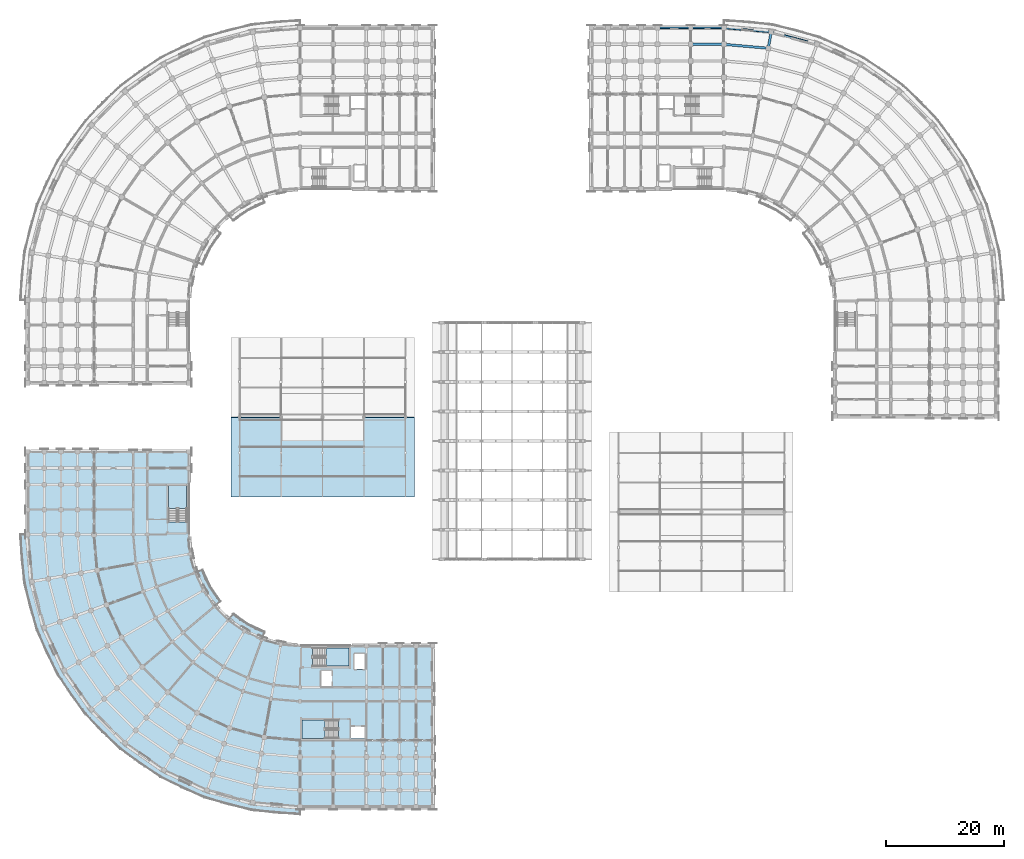
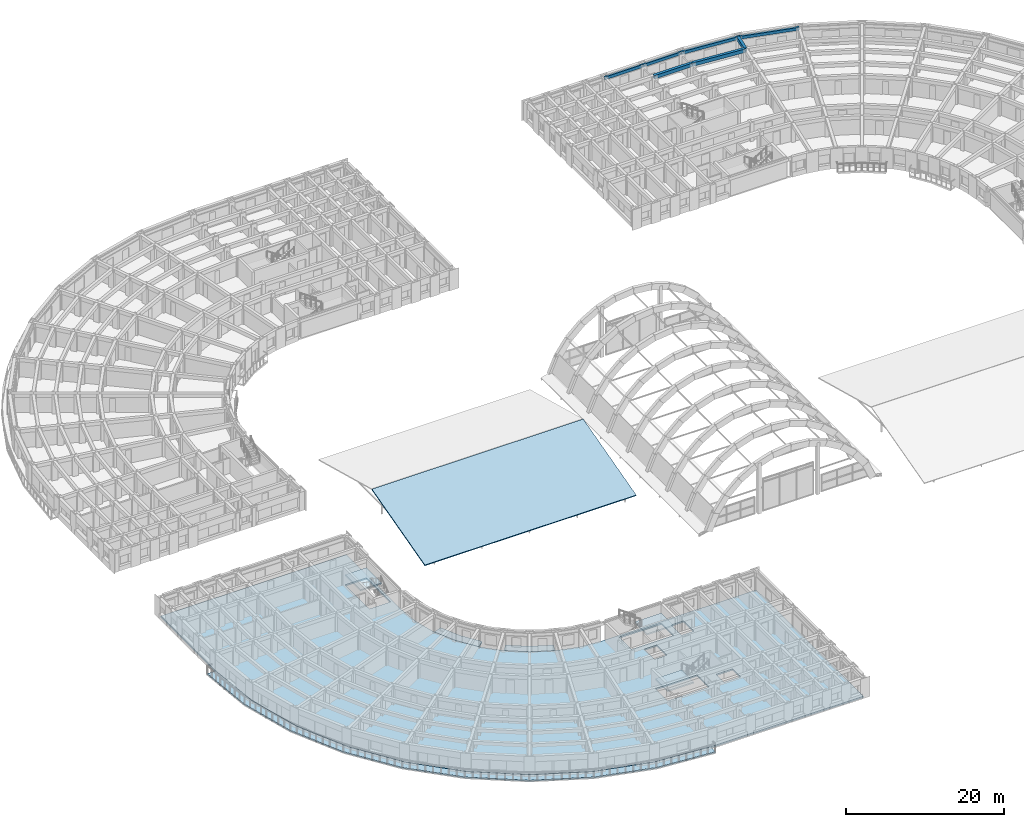
# One storey, part 26 of 76: 8 slabs, 7 beams, 4 elements without a shape of their own.
"""IFC4 building model written with IfcOpenShell, lengths in metres."""

from ifc_helpers import new_model, si_unit, direction, frame, origin, origin_2d, place, context, subcontext, project, spatial, polyline, rectangle, outline, extrude, material, layer, layer_set, material_profile, profile_set, type_object, element, aggregate, save


model = new_model("IFC4")

# Units and contexts
model_context = context("Model", 3, precision=1e-05, world=origin(), true_north=direction((0.0, 1.0)))
body_context = subcontext(model_context, "Body", "Model", "MODEL_VIEW")
ifc_project = project(units=[si_unit("LENGTHUNIT", "METRE"), si_unit("AREAUNIT", "SQUARE_METRE"), si_unit("VOLUMEUNIT", "CUBIC_METRE"), si_unit("PLANEANGLEUNIT", "RADIAN"), si_unit("MASSUNIT", "GRAM", prefix="KILO")], contexts=[model_context])

# Site, building, storey
site_placement = place(None, origin())
site = spatial("IfcSite", under=ifc_project, at=site_placement, CompositionType="ELEMENT")
building_placement = place(site_placement, origin())
building = spatial("IfcBuilding", under=site, at=building_placement, Name="Kiranvali Square Residences", CompositionType="ELEMENT")
storey_placement = place(building_placement, frame((0.0, 0.0, 8.699951171875)))
storey = spatial("IfcBuildingStorey", under=building, at=storey_placement, Name="L02", CompositionType="ELEMENT", Elevation=8.699951171875)

# Beams
ifc_material_1 = material(Name="Concrete M45 (45 MPa)", Category="concrete")
ifc_material_profile_1 = material_profile(ifc_material_1, rectangle(XDim=0.39990234375, YDim=0.550048828125, at=origin_2d()), Name="RC 400x550")
ifc_profile_set_1 = profile_set([ifc_material_profile_1], Name="Concrete M45 (45 MPa)")
beam_type_1 = type_object("IfcBeamType", Name="BM-M45-400x550", PredefinedType="BEAM", material=ifc_profile_set_1)
beam_1_placement = place(storey_placement, frame((119.800048828125, 131.0, 2.655029296875), z_axis=(0.996195195417, -0.087150058103, 0.0), x_axis=(0.087150058103, 0.996195195417, 0.0)))
element("IfcBeam", 1, at=beam_1_placement, inside=storey, type_object=beam_type_1, Name="L02 beam BM-B-L02-C00-R6", PredefinedType="BEAM", context=body_context, shape_type="SweptSolid", body=[
    extrude(rectangle(XDim=0.39990234375, YDim=0.550048828125, at=origin_2d()), origin(), (0.0, 0.0, 1.0), 7.530029296875),
])
beam_2_placement = place(storey_placement, frame((127.301513671875, 130.34375, 2.655029296875), z_axis=(0.173695795656, 0.984799355489, 0.0), x_axis=(-0.984799355489, 0.173695795656, 0.0)))
element("IfcBeam", 2, at=beam_2_placement, inside=storey, type_object=beam_type_1, Name="L02 beam BM-B-L02-RAD01-67", PredefinedType="BEAM", context=body_context, shape_type="SweptSolid", body=[
    extrude(rectangle(XDim=0.39990234375, YDim=0.550048828125, at=origin_2d()), origin(), (0.0, 0.0, 1.0), 2.7998046875),
])
beam_3_placement = place(storey_placement, frame((119.800048828125, 131.0, 2.655029296875), z_axis=(-1.0, 0.0, 0.0), x_axis=(0.0, -1.0, 0.0)))
element("IfcBeam", 3, at=beam_3_placement, inside=storey, type_object=beam_type_1, Name="L02 beam BM-B-L02-A1U0-R6", PredefinedType="BEAM", context=body_context, shape_type="SweptSolid", body=[
    extrude(rectangle(XDim=0.39990234375, YDim=0.550048828125, at=origin_2d()), origin(), (0.0, 0.0, 1.0), 5.60009765625),
])
ifc_material_2 = material(Name="Concrete M40 (40 MPa)", Category="concrete")
ifc_material_profile_2 = material_profile(ifc_material_2, rectangle(XDim=0.25, YDim=0.449951171875, at=origin_2d()), Name="RC 250x450")
ifc_profile_set_2 = profile_set([ifc_material_profile_2], Name="Concrete M40 (40 MPa)")
beam_type_2 = type_object("IfcBeamType", Name="SPN-M40-250x450", PredefinedType="SPANDREL", material=ifc_profile_set_2)
beam_4_placement = place(storey_placement, frame((119.800048828125, 133.800048828125, 2.705078125), z_axis=(-1.0, 0.0, 0.0), x_axis=(0.0, -1.0, 0.0)))
element("IfcBeam", 4, at=beam_4_placement, inside=storey, type_object=beam_type_2, Name="L02 beam BM-B-L02-A1U0-R7", PredefinedType="SPANDREL", context=body_context, shape_type="SweptSolid", body=[
    extrude(rectangle(XDim=0.25, YDim=0.449951171875, at=origin_2d()), origin(), (0.0, 0.0, 1.0), 5.60009765625),
])
beam_5_placement = place(storey_placement, frame((114.199951171875, 133.800048828125, 2.705078125), z_axis=(-1.0, 0.0, 0.0), x_axis=(0.0, -1.0, 0.0)))
element("IfcBeam", 5, at=beam_5_placement, inside=storey, type_object=beam_type_2, Name="L02 beam BM-B-L02-A1U1-R7", PredefinedType="SPANDREL", context=body_context, shape_type="SweptSolid", body=[
    extrude(rectangle(XDim=0.25, YDim=0.449951171875, at=origin_2d()), origin(), (0.0, 0.0, 1.0), 5.599853515625),
])
ifc_material_profile_3 = material_profile(ifc_material_2, rectangle(XDim=0.300048828125, YDim=0.449951171875, at=origin_2d()), Name="RC 300x450")
ifc_profile_set_3 = profile_set([ifc_material_profile_3], Name="Concrete M40 (40 MPa)")
beam_type_3 = type_object("IfcBeamType", Name="SPN-M40-300x450", PredefinedType="SPANDREL", material=ifc_profile_set_3)
for number, where, z_axis, x_axis, name in (
    (6, (119.800048828125, 133.800048828125, 2.705078125), (0.996193254792, -0.087172238171, 0.0), (0.087172238171, 0.996193254792, 0.0), "L02 beam BM-B-L02-C00-R7"),
    (7, (127.787841796875, 133.10107421875, 2.705078125), (0.96592902462, -0.258807108475, 0.0), (0.258807108475, 0.96592902462, 0.0), "L02 beam BM-B-L02-C01-R7"),
):
    element("IfcBeam", number, at=place(storey_placement, frame(where, z_axis=z_axis, x_axis=x_axis)), inside=storey, type_object=beam_type_3, Name=name, PredefinedType="SPANDREL", context=body_context, shape_type="SweptSolid", body=[
        extrude(rectangle(XDim=0.300048828125, YDim=0.449951171875, at=origin_2d()), origin(), (0.0, 0.0, 1.0), 8.018310546875),
    ])

# Slabs
ifc_material_3 = material(Name="Concrete M35 (35 MPa)", Category="concrete")
ifc_layer_1 = layer(ifc_material_3, 0.179931640625)
ifc_layer_set_1 = layer_set([ifc_layer_1], Name="Concrete M35 (35 MPa)")
slab_type_1 = type_object("IfcSlabType", Name="SLB-BAL-180", PredefinedType="FLOOR", material=ifc_layer_set_1)
slab_1_placement = place(storey_placement, frame((0.0, 0.0, -0.179931640625)))
element("IfcSlab", 8, at=slab_1_placement, inside=storey, type_object=slab_type_1, Name="Block C L02 continuous curved corner balcony slab", PredefinedType="FLOOR", context=body_context, shape_type="SweptSolid", body=[
    extrude(outline(polyline([(48.199951171875, 2.199951171875), (40.212158203125, 2.89892578125), (32.467041015625, 4.97412109375), (25.199951171875, 8.36279296875), (18.6318359375, 12.9619140625), (12.9619140625, 18.6318359375), (8.36279296875, 25.199951171875), (4.97412109375, 32.467041015625), (2.89892578125, 40.212158203125), (2.199951171875, 48.199951171875), (0.949951171875, 48.199951171875), (1.667724609375, 39.9951171875), (3.799560546875, 32.03955078125), (7.2802734375, 24.574951171875), (12.00439453125, 17.828369140625), (17.828369140625, 12.00439453125), (24.574951171875, 7.2802734375), (32.03955078125, 3.799560546875), (39.9951171875, 1.667724609375), (48.199951171875, 0.949951171875), (48.199951171875, 2.199951171875)])), origin(), (0.0, 0.0, 1.0), 0.179931640625),
])
ifc_layer_2 = layer(ifc_material_3, 0.22998046875)
ifc_layer_set_2 = layer_set([ifc_layer_2], Name="Concrete M35 (35 MPa)")
slab_type_2 = type_object("IfcSlabType", Name="SLB-FLR-230", PredefinedType="FLOOR", material=ifc_layer_set_2)
slab_2_placement = place(storey_placement, frame((0.0, 0.0, -0.22998046875)))
element("IfcSlab", 9, at=slab_2_placement, inside=storey, type_object=slab_type_2, Name="Block C L02 structural floor slab", PredefinedType="FLOOR", context=body_context, shape_type="SweptSolid", body=[
    extrude(outline(polyline([(48.199951171875, 29.39990234375), (44.935302734375, 29.685546875), (41.77001953125, 30.53369140625), (38.800048828125, 31.918701171875), (36.115478515625, 33.79833984375), (33.79833984375, 36.115478515625), (31.918701171875, 38.800048828125), (30.53369140625, 41.77001953125), (29.685546875, 44.935302734375), (29.39990234375, 48.199951171875), (29.39990234375, 62.199951171875), (2.199951171875, 62.199951171875), (2.199951171875, 48.199951171875), (2.89892578125, 40.212158203125), (4.97412109375, 32.467041015625), (8.36279296875, 25.199951171875), (12.9619140625, 18.6318359375), (18.6318359375, 12.9619140625), (25.199951171875, 8.36279296875), (32.467041015625, 4.97412109375), (40.212158203125, 2.89892578125), (48.199951171875, 2.199951171875), (70.60009765625, 2.199951171875), (70.60009765625, 29.39990234375), (48.199951171875, 29.39990234375)]), holes=[polyline([(56.800048828125, 13.75), (59.25, 13.75), (59.25, 15.75), (56.800048828125, 15.75), (56.800048828125, 13.75)]), polyline([(57.35009765625, 25.449951171875), (59.14990234375, 25.449951171875), (59.14990234375, 28.050048828125), (57.35009765625, 28.050048828125), (57.35009765625, 25.449951171875)]), polyline([(51.75, 22.550048828125), (53.550048828125, 22.550048828125), (53.550048828125, 25.14990234375), (51.75, 25.14990234375), (51.75, 22.550048828125)]), polyline([(54.699951171875, 16.85009765625), (48.550048828125, 16.85009765625), (48.550048828125, 13.75), (54.699951171875, 13.75), (54.699951171875, 16.85009765625)]), polyline([(50.300048828125, 25.949951171875), (56.449951171875, 25.949951171875), (56.449951171875, 29.050048828125), (50.300048828125, 29.050048828125), (50.300048828125, 25.949951171875)]), polyline([(29.050048828125, 50.300048828125), (29.050048828125, 56.449951171875), (25.949951171875, 56.449951171875), (25.949951171875, 50.300048828125), (29.050048828125, 50.300048828125)])]), origin(), (0.0, 0.0, 1.0), 0.22998046875),
])
ifc_layer_3 = layer(ifc_material_3, 0.169921875)
ifc_layer_set_3 = layer_set([ifc_layer_3], Name="Concrete M35 (35 MPa)")
slab_type_3 = type_object("IfcSlabType", Name="SLB-GBAL-170", PredefinedType="FLOOR", material=ifc_layer_set_3)
slab_3_placement = place(storey_placement, frame((0.0, 0.0, -0.179931640625)))
element("IfcSlab", 10, at=slab_3_placement, inside=storey, type_object=slab_type_3, Name="Block C L02 garden balcony slab 1", PredefinedType="FLOOR", context=body_context, shape_type="SweptSolid", body=[
    extrude(outline(polyline([(42.197509765625, 31.70849609375), (39.425048828125, 33.001220703125), (36.919189453125, 34.755859375), (36.115478515625, 33.79833984375), (38.800048828125, 31.918701171875), (41.77001953125, 30.53369140625), (42.197509765625, 31.70849609375)])), origin(), (0.0, 0.0, 1.0), 0.179931640625),
])
slab_4_placement = place(storey_placement, frame((0.0, 0.0, -0.179931640625)))
element("IfcSlab", 11, at=slab_4_placement, inside=storey, type_object=slab_type_3, Name="Block C L02 garden balcony slab 2", PredefinedType="FLOOR", context=body_context, shape_type="SweptSolid", body=[
    extrude(outline(polyline([(34.755859375, 36.919189453125), (33.001220703125, 39.425048828125), (31.70849609375, 42.197509765625), (30.53369140625, 41.77001953125), (31.918701171875, 38.800048828125), (33.79833984375, 36.115478515625), (34.755859375, 36.919189453125)])), origin(), (0.0, 0.0, 1.0), 0.179931640625),
])

# Stair, slab
stair_type = type_object("IfcStairType", Name="ST-CORE-1700", PredefinedType="HALF_TURN_STAIR", material=ifc_material_3)
stair_1_placement = place(storey_placement, origin())
stair_1 = element("IfcStair", 12, at=stair_1_placement, inside=storey, type_object=stair_type, Name="L02 Block C Firefighting Exit Stair 1", PredefinedType="HALF_TURN_STAIR")
ifc_layer_4 = layer(ifc_material_3, 0.199951171875)
ifc_layer_set_4 = layer_set([ifc_layer_4], Name="Concrete M35 (35 MPa)")
slab_type_4 = type_object("IfcSlabType", Name="SLB-LND-200", PredefinedType="LANDING", material=ifc_layer_set_4)
slab_5_placement = place(storey_placement, frame((0.0, 0.0, 1.375)))
slab_5 = element("IfcSlab", 13, at=slab_5_placement, type_object=slab_type_4, Name="ST-C1 landing 1", PredefinedType="LANDING", context=body_context, shape_type="SweptSolid", body=[
    extrude(outline(polyline([(52.419921875, 16.85009765625), (48.550048828125, 16.85009765625), (48.550048828125, 13.75), (52.419921875, 13.75), (52.419921875, 16.85009765625)])), origin(), (0.0, 0.0, 1.0), 0.199951171875),
])
aggregate(stair_1, [slab_5])

stair_2_placement = place(storey_placement, origin())
stair_2 = element("IfcStair", 14, at=stair_2_placement, inside=storey, type_object=stair_type, Name="L02 Block C Protected Exit Stair 2", PredefinedType="HALF_TURN_STAIR")
slab_6_placement = place(storey_placement, frame((0.0, 0.0, 1.375)))
slab_6 = element("IfcSlab", 15, at=slab_6_placement, type_object=slab_type_4, Name="ST-C2 landing 1", PredefinedType="LANDING", context=body_context, shape_type="SweptSolid", body=[
    extrude(outline(polyline([(52.580078125, 25.949951171875), (56.449951171875, 25.949951171875), (56.449951171875, 29.050048828125), (52.580078125, 29.050048828125), (52.580078125, 25.949951171875)])), origin(), (0.0, 0.0, 1.0), 0.199951171875),
])
aggregate(stair_2, [slab_6])

stair_3_placement = place(storey_placement, origin())
stair_3 = element("IfcStair", 16, at=stair_3_placement, inside=storey, type_object=stair_type, Name="L02 Block C Wing Protected Exit Stair 3", PredefinedType="HALF_TURN_STAIR")
slab_7_placement = place(storey_placement, frame((0.0, 0.0, 1.375)))
slab_7 = element("IfcSlab", 17, at=slab_7_placement, type_object=slab_type_4, Name="ST-C3 landing 1", PredefinedType="LANDING", context=body_context, shape_type="SweptSolid", body=[
    extrude(outline(polyline([(29.050048828125, 52.580078125), (29.050048828125, 56.449951171875), (25.949951171875, 56.449951171875), (25.949951171875, 52.580078125), (29.050048828125, 52.580078125)])), origin(), (0.0, 0.0, 1.0), 0.199951171875),
])
aggregate(stair_3, [slab_7])

# Roof, slab
roof_type = type_object("IfcRoofType", Name="RF-GABLE-PAVILION", PredefinedType="GABLE_ROOF", material=ifc_material_3)
roof_placement = place(storey_placement, origin())
roof = element("IfcRoof", 18, at=roof_placement, inside=storey, type_object=roof_type, Name="Nursery Pavilion Pitched Terracotta Ottoman Roof", PredefinedType="GABLE_ROOF")
ifc_layer_5 = layer(ifc_material_3, 0.159912109375)
ifc_layer_set_5 = layer_set([ifc_layer_5], Name="Concrete M35 (35 MPa)")
slab_type_5 = type_object("IfcSlabType", Name="SLB-PITCH-160", PredefinedType="ROOF", material=ifc_layer_set_5)
slab_8_placement = place(storey_placement, frame((36.5, 54.5, 0.550048828125), z_axis=(0.0, -0.259348805073, 0.965783721807), x_axis=(1.0, 0.0, 0.0)))
slab_8 = element("IfcSlab", 19, at=slab_8_placement, type_object=slab_type_5, Name="Nursery Pavilion south pitched roof slab", PredefinedType="ROOF", context=body_context, shape_type="SweptSolid", body=[
    extrude(outline(polyline([(0.0, 0.0), (31.0, 0.0), (31.0, 13.947191694144095), (0.0, 13.947191694144095), (0.0, 0.0)])), origin(), (0.0, 0.0, -1.0), 0.159912109375),
])
aggregate(roof, [slab_8])

save(model, "model.ifc")
